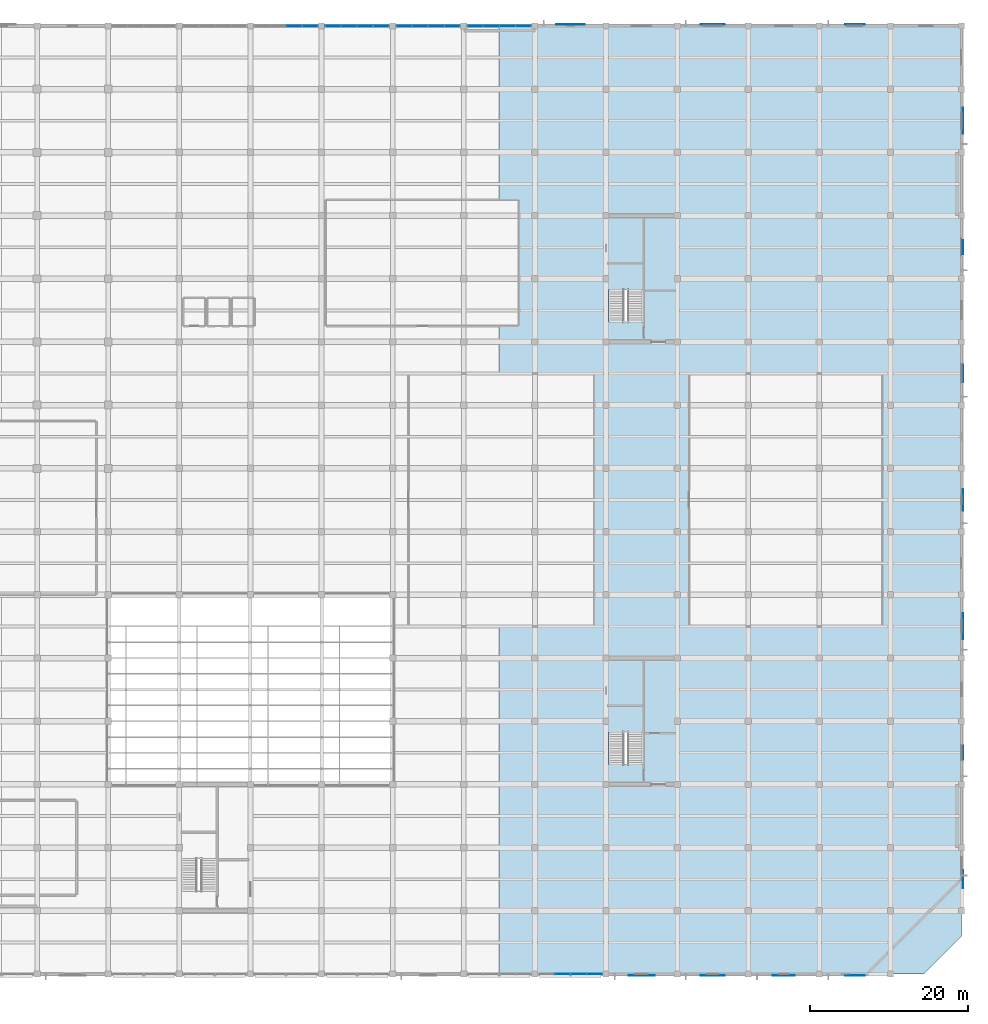
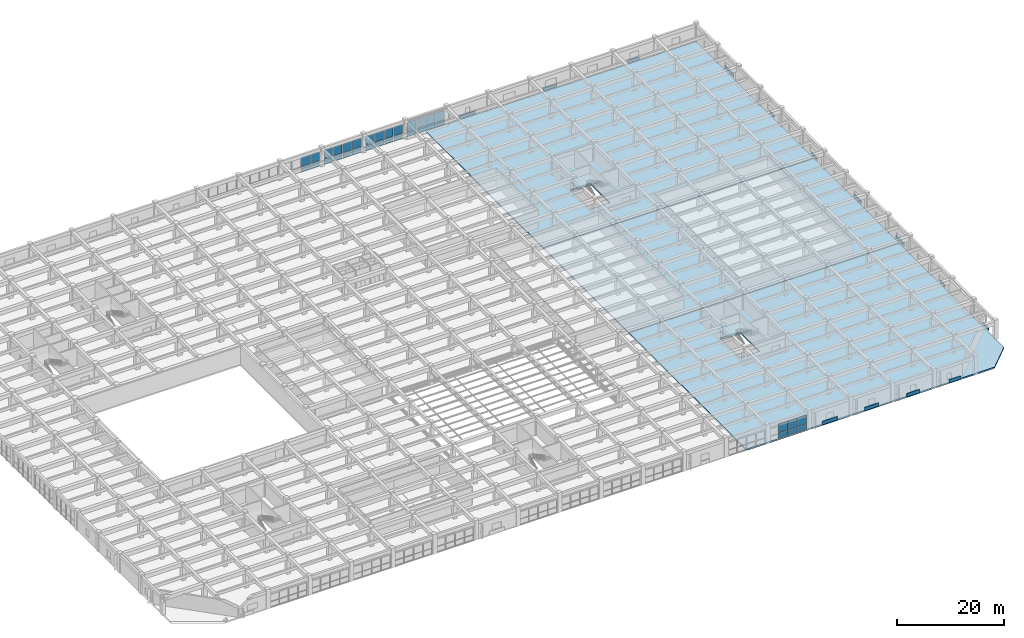
# One storey, part 24 of 50: 48 plates, 5 slabs, 7 elements without a shape of their own.
"""IFC4 building model written with IfcOpenShell, lengths in metres."""

from ifc_helpers import new_model, si_unit, direction, frame, frame_2d, origin, place, context, subcontext, project, spatial, polyline, rectangle, outline, extrude, material, layer, layer_set, type_object, element, aggregate, save


model = new_model("IFC4")

# Units and contexts
model_context = context("Model", 3, precision=1e-05, world=origin(), true_north=direction((0.0, 1.0)))
body_context = subcontext(model_context, "Body", "Model", "MODEL_VIEW")
ifc_project = project(units=[si_unit("LENGTHUNIT", "METRE"), si_unit("AREAUNIT", "SQUARE_METRE"), si_unit("VOLUMEUNIT", "CUBIC_METRE"), si_unit("PLANEANGLEUNIT", "RADIAN"), si_unit("MASSUNIT", "GRAM", prefix="KILO")], contexts=[model_context])

# Site, building, storey
site_placement = place(None, origin())
site = spatial("IfcSite", under=ifc_project, at=site_placement, CompositionType="ELEMENT")
building_placement = place(site_placement, origin())
building = spatial("IfcBuilding", under=site, at=building_placement, Name="Zaverband Oceanarium and Marine Research Institute", CompositionType="ELEMENT")
storey_placement = place(building_placement, frame((0.0, 0.0, 9.0)))
storey = spatial("IfcBuildingStorey", under=building, at=storey_placement, Name="L02", CompositionType="ELEMENT", Elevation=9.0)

# Curtain wall, plates
ifc_material_1 = material(Name="Thermally broken anodized aluminium and solar-control glass", Category="aluminium")
curtain_wall_type = type_object("IfcCurtainWallType", Name="CW-UNIT-1800", PredefinedType="NOTDEFINED", material=ifc_material_1)
curtain_wall_1_placement = place(storey_placement, origin())
curtain_wall_1 = element("IfcCurtainWall", 1, at=curtain_wall_1_placement, inside=storey, type_object=curtain_wall_type, Name="Unitised glazed curtain wall CW-045", PredefinedType="NOTDEFINED")
ifc_material_2 = material(Name="Low-E double-glazed solar-control glass", Category="glass")
ifc_layer_1 = layer(ifc_material_2, 0.033935546875, Name="Low-E double-glazed solar-control glass")
ifc_layer_set_1 = layer_set([ifc_layer_1], Name="Low-E double-glazed solar-control glass")
plate_type_1 = type_object("IfcPlateType", Name="CWP-1765x1197", PredefinedType="CURTAIN_PANEL", material=ifc_layer_set_1)
plate_1_placement = place(storey_placement, frame((128.532470703125, 0.0, 0.050048828125), z_axis=(0.0, 0.0, 1.0), x_axis=(1.0, 0.0, 0.0)))
plate_1 = element("IfcPlate", 2, at=plate_1_placement, type_object=plate_type_1, Name="Glazed curtain wall panel CWP-1765x1197", PredefinedType="CURTAIN_PANEL", context=body_context, shape_type="SweptSolid", body=[
    extrude(rectangle(XDim=1.887451171875, YDim=0.033935546875, at=frame_2d((0.94384765625, 0.0))), origin(), (0.0, 0.0, 1.0), 1.197021484375),
])
plate_2_placement = place(storey_placement, frame((130.580078125, 0.0, 0.050048828125), z_axis=(0.0, 0.0, 1.0), x_axis=(1.0, 0.0, 0.0)))
plate_2 = element("IfcPlate", 3, at=plate_2_placement, type_object=plate_type_1, Name="Glazed curtain wall panel CWP-1765x1197", PredefinedType="CURTAIN_PANEL", context=body_context, shape_type="SweptSolid", body=[
    extrude(rectangle(XDim=1.887451171875, YDim=0.033935546875, at=frame_2d((0.94384765625, 0.0))), origin(), (0.0, 0.0, 1.0), 1.197021484375),
])
plate_3_placement = place(storey_placement, frame((132.62744140625, 0.0, 0.050048828125), z_axis=(0.0, 0.0, 1.0), x_axis=(1.0, 0.0, 0.0)))
plate_3 = element("IfcPlate", 4, at=plate_3_placement, type_object=plate_type_1, Name="Glazed curtain wall panel CWP-1765x1197", PredefinedType="CURTAIN_PANEL", context=body_context, shape_type="SweptSolid", body=[
    extrude(rectangle(XDim=1.887451171875, YDim=0.033935546875, at=frame_2d((0.94384765625, 0.0))), origin(), (0.0, 0.0, 1.0), 1.197021484375),
])

curtain_wall_2_placement = place(storey_placement, origin())
curtain_wall_2 = element("IfcCurtainWall", 5, at=curtain_wall_2_placement, inside=storey, type_object=curtain_wall_type, Name="Unitised glazed curtain wall CW-048", PredefinedType="NOTDEFINED")
plate_4_placement = place(storey_placement, frame((94.580078125, 120.0, 0.050048828125), z_axis=(0.0, 0.0, 1.0), x_axis=(1.0, 0.0, 0.0)))
plate_4 = element("IfcPlate", 6, at=plate_4_placement, type_object=plate_type_1, Name="Glazed curtain wall panel CWP-1765x1197", PredefinedType="CURTAIN_PANEL", context=body_context, shape_type="SweptSolid", body=[
    extrude(rectangle(XDim=1.887451171875, YDim=0.033935546875, at=frame_2d((0.94384765625, 0.0))), origin(), (0.0, 0.0, 1.0), 1.197021484375),
])
plate_5_placement = place(storey_placement, frame((96.62744140625, 120.0, 0.050048828125), z_axis=(0.0, 0.0, 1.0), x_axis=(1.0, 0.0, 0.0)))
plate_5 = element("IfcPlate", 7, at=plate_5_placement, type_object=plate_type_1, Name="Glazed curtain wall panel CWP-1765x1197", PredefinedType="CURTAIN_PANEL", context=body_context, shape_type="SweptSolid", body=[
    extrude(rectangle(XDim=1.887451171875, YDim=0.033935546875, at=frame_2d((0.94384765625, 0.0))), origin(), (0.0, 0.0, 1.0), 1.197021484375),
])

curtain_wall_3_placement = place(storey_placement, origin())
curtain_wall_3 = element("IfcCurtainWall", 8, at=curtain_wall_3_placement, inside=storey, type_object=curtain_wall_type, Name="Unitised glazed curtain wall CW-049", PredefinedType="NOTDEFINED")
plate_6_placement = place(storey_placement, frame((99.485107421875, 120.0, 0.050048828125), z_axis=(0.0, 0.0, 1.0), x_axis=(1.0, 0.0, 0.0)))
plate_6 = element("IfcPlate", 9, at=plate_6_placement, type_object=plate_type_1, Name="Glazed curtain wall panel CWP-1765x1197", PredefinedType="CURTAIN_PANEL", context=body_context, shape_type="SweptSolid", body=[
    extrude(rectangle(XDim=1.887451171875, YDim=0.033935546875, at=frame_2d((0.94384765625, 0.0))), origin(), (0.0, 0.0, 1.0), 1.197021484375),
])
plate_7_placement = place(storey_placement, frame((101.532470703125, 120.0, 0.050048828125), z_axis=(0.0, 0.0, 1.0), x_axis=(1.0, 0.0, 0.0)))
plate_7 = element("IfcPlate", 10, at=plate_7_placement, type_object=plate_type_1, Name="Glazed curtain wall panel CWP-1765x1197", PredefinedType="CURTAIN_PANEL", context=body_context, shape_type="SweptSolid", body=[
    extrude(rectangle(XDim=1.887451171875, YDim=0.033935546875, at=frame_2d((0.94384765625, 0.0))), origin(), (0.0, 0.0, 1.0), 1.197021484375),
])
plate_8_placement = place(storey_placement, frame((103.580078125, 120.0, 0.050048828125), z_axis=(0.0, 0.0, 1.0), x_axis=(1.0, 0.0, 0.0)))
plate_8 = element("IfcPlate", 11, at=plate_8_placement, type_object=plate_type_1, Name="Glazed curtain wall panel CWP-1765x1197", PredefinedType="CURTAIN_PANEL", context=body_context, shape_type="SweptSolid", body=[
    extrude(rectangle(XDim=1.887451171875, YDim=0.033935546875, at=frame_2d((0.94384765625, 0.0))), origin(), (0.0, 0.0, 1.0), 1.197021484375),
])
plate_9_placement = place(storey_placement, frame((105.62744140625, 120.0, 0.050048828125), z_axis=(0.0, 0.0, 1.0), x_axis=(1.0, 0.0, 0.0)))
plate_9 = element("IfcPlate", 12, at=plate_9_placement, type_object=plate_type_1, Name="Glazed curtain wall panel CWP-1765x1197", PredefinedType="CURTAIN_PANEL", context=body_context, shape_type="SweptSolid", body=[
    extrude(rectangle(XDim=1.887451171875, YDim=0.033935546875, at=frame_2d((0.94384765625, 0.0))), origin(), (0.0, 0.0, 1.0), 1.197021484375),
])

curtain_wall_4_placement = place(storey_placement, origin())
curtain_wall_4 = element("IfcCurtainWall", 13, at=curtain_wall_4_placement, inside=storey, type_object=curtain_wall_type, Name="Unitised glazed curtain wall CW-050", PredefinedType="NOTDEFINED")
plate_10_placement = place(storey_placement, frame((108.485107421875, 120.0, 0.050048828125), z_axis=(0.0, 0.0, 1.0), x_axis=(1.0, 0.0, 0.0)))
plate_10 = element("IfcPlate", 14, at=plate_10_placement, type_object=plate_type_1, Name="Glazed curtain wall panel CWP-1765x1197", PredefinedType="CURTAIN_PANEL", context=body_context, shape_type="SweptSolid", body=[
    extrude(rectangle(XDim=1.887451171875, YDim=0.033935546875, at=frame_2d((0.94384765625, 0.0))), origin(), (0.0, 0.0, 1.0), 1.197021484375),
])
plate_11_placement = place(storey_placement, frame((110.532470703125, 120.0, 0.050048828125), z_axis=(0.0, 0.0, 1.0), x_axis=(1.0, 0.0, 0.0)))
plate_11 = element("IfcPlate", 15, at=plate_11_placement, type_object=plate_type_1, Name="Glazed curtain wall panel CWP-1765x1197", PredefinedType="CURTAIN_PANEL", context=body_context, shape_type="SweptSolid", body=[
    extrude(rectangle(XDim=1.887451171875, YDim=0.033935546875, at=frame_2d((0.94384765625, 0.0))), origin(), (0.0, 0.0, 1.0), 1.197021484375),
])
plate_12_placement = place(storey_placement, frame((112.580078125, 120.0, 0.050048828125), z_axis=(0.0, 0.0, 1.0), x_axis=(1.0, 0.0, 0.0)))
plate_12 = element("IfcPlate", 16, at=plate_12_placement, type_object=plate_type_1, Name="Glazed curtain wall panel CWP-1765x1197", PredefinedType="CURTAIN_PANEL", context=body_context, shape_type="SweptSolid", body=[
    extrude(rectangle(XDim=1.887451171875, YDim=0.033935546875, at=frame_2d((0.94384765625, 0.0))), origin(), (0.0, 0.0, 1.0), 1.197021484375),
])
plate_13_placement = place(storey_placement, frame((114.62744140625, 120.0, 0.050048828125), z_axis=(0.0, 0.0, 1.0), x_axis=(1.0, 0.0, 0.0)))
plate_13 = element("IfcPlate", 17, at=plate_13_placement, type_object=plate_type_1, Name="Glazed curtain wall panel CWP-1765x1197", PredefinedType="CURTAIN_PANEL", context=body_context, shape_type="SweptSolid", body=[
    extrude(rectangle(XDim=1.887451171875, YDim=0.033935546875, at=frame_2d((0.94384765625, 0.0))), origin(), (0.0, 0.0, 1.0), 1.197021484375),
])

curtain_wall_5_placement = place(storey_placement, origin())
curtain_wall_5 = element("IfcCurtainWall", 18, at=curtain_wall_5_placement, inside=storey, type_object=curtain_wall_type, Name="Unitised glazed curtain wall CW-051", PredefinedType="NOTDEFINED")
plate_14_placement = place(storey_placement, frame((117.485107421875, 120.0, 0.050048828125), z_axis=(0.0, 0.0, 1.0), x_axis=(1.0, 0.0, 0.0)))
plate_14 = element("IfcPlate", 19, at=plate_14_placement, type_object=plate_type_1, Name="Glazed curtain wall panel CWP-1765x1197", PredefinedType="CURTAIN_PANEL", context=body_context, shape_type="SweptSolid", body=[
    extrude(rectangle(XDim=1.887451171875, YDim=0.033935546875, at=frame_2d((0.94384765625, 0.0))), origin(), (0.0, 0.0, 1.0), 1.197021484375),
])
plate_15_placement = place(storey_placement, frame((119.532470703125, 120.0, 0.050048828125), z_axis=(0.0, 0.0, 1.0), x_axis=(1.0, 0.0, 0.0)))
plate_15 = element("IfcPlate", 20, at=plate_15_placement, type_object=plate_type_1, Name="Glazed curtain wall panel CWP-1765x1197", PredefinedType="CURTAIN_PANEL", context=body_context, shape_type="SweptSolid", body=[
    extrude(rectangle(XDim=1.887451171875, YDim=0.033935546875, at=frame_2d((0.94384765625, 0.0))), origin(), (0.0, 0.0, 1.0), 1.197021484375),
])
plate_16_placement = place(storey_placement, frame((121.580078125, 120.0, 0.050048828125), z_axis=(0.0, 0.0, 1.0), x_axis=(1.0, 0.0, 0.0)))
plate_16 = element("IfcPlate", 21, at=plate_16_placement, type_object=plate_type_1, Name="Glazed curtain wall panel CWP-1765x1197", PredefinedType="CURTAIN_PANEL", context=body_context, shape_type="SweptSolid", body=[
    extrude(rectangle(XDim=1.887451171875, YDim=0.033935546875, at=frame_2d((0.94384765625, 0.0))), origin(), (0.0, 0.0, 1.0), 1.197021484375),
])
plate_17_placement = place(storey_placement, frame((123.62744140625, 120.0, 0.050048828125), z_axis=(0.0, 0.0, 1.0), x_axis=(1.0, 0.0, 0.0)))
plate_17 = element("IfcPlate", 22, at=plate_17_placement, type_object=plate_type_1, Name="Glazed curtain wall panel CWP-1765x1197", PredefinedType="CURTAIN_PANEL", context=body_context, shape_type="SweptSolid", body=[
    extrude(rectangle(XDim=1.887451171875, YDim=0.033935546875, at=frame_2d((0.94384765625, 0.0))), origin(), (0.0, 0.0, 1.0), 1.197021484375),
])

# Plate
ifc_layer_2 = layer(ifc_material_2, 0.035888671875, Name="Low-E double-glazed solar-control glass")
ifc_layer_set_2 = layer_set([ifc_layer_2], Name="Low-E double-glazed solar-control glass")
plate_type_2 = type_object("IfcPlateType", Name="CWP-1765x2063", PredefinedType="CURTAIN_PANEL", material=ifc_layer_set_2)
plate_18_placement = place(storey_placement, frame((128.532470703125, 0.0, 1.31689453125), z_axis=(0.0, 0.0, 1.0), x_axis=(1.0, 0.0, 0.0)))
plate_18 = element("IfcPlate", 23, at=plate_18_placement, type_object=plate_type_2, Name="Glazed curtain wall panel CWP-1765x2063", PredefinedType="CURTAIN_PANEL", context=body_context, shape_type="SweptSolid", body=[
    extrude(rectangle(XDim=1.887451171875, YDim=0.035888671875, at=frame_2d((0.94384765625, 0.0))), origin(), (0.0, 0.0, 1.0), 2.06298828125),
])

plate_19_placement = place(storey_placement, frame((130.580078125, 0.0, 1.31689453125), z_axis=(0.0, 0.0, 1.0), x_axis=(1.0, 0.0, 0.0)))
plate_19 = element("IfcPlate", 24, at=plate_19_placement, type_object=plate_type_2, Name="Glazed curtain wall panel CWP-1765x2063", PredefinedType="CURTAIN_PANEL", context=body_context, shape_type="SweptSolid", body=[
    extrude(rectangle(XDim=1.887451171875, YDim=0.035888671875, at=frame_2d((0.94384765625, 0.0))), origin(), (0.0, 0.0, 1.0), 2.06298828125),
])

plate_20_placement = place(storey_placement, frame((132.62744140625, 0.0, 1.31689453125), z_axis=(0.0, 0.0, 1.0), x_axis=(1.0, 0.0, 0.0)))
plate_20 = element("IfcPlate", 25, at=plate_20_placement, type_object=plate_type_2, Name="Glazed curtain wall panel CWP-1765x2063", PredefinedType="CURTAIN_PANEL", context=body_context, shape_type="SweptSolid", body=[
    extrude(rectangle(XDim=1.887451171875, YDim=0.035888671875, at=frame_2d((0.94384765625, 0.0))), origin(), (0.0, 0.0, 1.0), 2.06298828125),
])

aggregate(curtain_wall_1, [plate_1, plate_18, plate_2, plate_19, plate_3, plate_20])

plate_21_placement = place(storey_placement, frame((94.580078125, 120.0, 1.31689453125), z_axis=(0.0, 0.0, 1.0), x_axis=(1.0, 0.0, 0.0)))
plate_21 = element("IfcPlate", 26, at=plate_21_placement, type_object=plate_type_2, Name="Glazed curtain wall panel CWP-1765x2063", PredefinedType="CURTAIN_PANEL", context=body_context, shape_type="SweptSolid", body=[
    extrude(rectangle(XDim=1.887451171875, YDim=0.035888671875, at=frame_2d((0.94384765625, 0.0))), origin(), (0.0, 0.0, 1.0), 2.06298828125),
])

plate_22_placement = place(storey_placement, frame((96.62744140625, 120.0, 1.31689453125), z_axis=(0.0, 0.0, 1.0), x_axis=(1.0, 0.0, 0.0)))
plate_22 = element("IfcPlate", 27, at=plate_22_placement, type_object=plate_type_2, Name="Glazed curtain wall panel CWP-1765x2063", PredefinedType="CURTAIN_PANEL", context=body_context, shape_type="SweptSolid", body=[
    extrude(rectangle(XDim=1.887451171875, YDim=0.035888671875, at=frame_2d((0.94384765625, 0.0))), origin(), (0.0, 0.0, 1.0), 2.06298828125),
])

aggregate(curtain_wall_2, [plate_4, plate_21, plate_5, plate_22])

plate_23_placement = place(storey_placement, frame((99.485107421875, 120.0, 1.31689453125), z_axis=(0.0, 0.0, 1.0), x_axis=(1.0, 0.0, 0.0)))
plate_23 = element("IfcPlate", 28, at=plate_23_placement, type_object=plate_type_2, Name="Glazed curtain wall panel CWP-1765x2063", PredefinedType="CURTAIN_PANEL", context=body_context, shape_type="SweptSolid", body=[
    extrude(rectangle(XDim=1.887451171875, YDim=0.035888671875, at=frame_2d((0.94384765625, 0.0))), origin(), (0.0, 0.0, 1.0), 2.06298828125),
])

plate_24_placement = place(storey_placement, frame((101.532470703125, 120.0, 1.31689453125), z_axis=(0.0, 0.0, 1.0), x_axis=(1.0, 0.0, 0.0)))
plate_24 = element("IfcPlate", 29, at=plate_24_placement, type_object=plate_type_2, Name="Glazed curtain wall panel CWP-1765x2063", PredefinedType="CURTAIN_PANEL", context=body_context, shape_type="SweptSolid", body=[
    extrude(rectangle(XDim=1.887451171875, YDim=0.035888671875, at=frame_2d((0.94384765625, 0.0))), origin(), (0.0, 0.0, 1.0), 2.06298828125),
])

plate_25_placement = place(storey_placement, frame((103.580078125, 120.0, 1.31689453125), z_axis=(0.0, 0.0, 1.0), x_axis=(1.0, 0.0, 0.0)))
plate_25 = element("IfcPlate", 30, at=plate_25_placement, type_object=plate_type_2, Name="Glazed curtain wall panel CWP-1765x2063", PredefinedType="CURTAIN_PANEL", context=body_context, shape_type="SweptSolid", body=[
    extrude(rectangle(XDim=1.887451171875, YDim=0.035888671875, at=frame_2d((0.94384765625, 0.0))), origin(), (0.0, 0.0, 1.0), 2.06298828125),
])

plate_26_placement = place(storey_placement, frame((105.62744140625, 120.0, 1.31689453125), z_axis=(0.0, 0.0, 1.0), x_axis=(1.0, 0.0, 0.0)))
plate_26 = element("IfcPlate", 31, at=plate_26_placement, type_object=plate_type_2, Name="Glazed curtain wall panel CWP-1765x2063", PredefinedType="CURTAIN_PANEL", context=body_context, shape_type="SweptSolid", body=[
    extrude(rectangle(XDim=1.887451171875, YDim=0.035888671875, at=frame_2d((0.94384765625, 0.0))), origin(), (0.0, 0.0, 1.0), 2.06298828125),
])

aggregate(curtain_wall_3, [plate_6, plate_23, plate_7, plate_24, plate_8, plate_25, plate_9, plate_26])

plate_27_placement = place(storey_placement, frame((108.485107421875, 120.0, 1.31689453125), z_axis=(0.0, 0.0, 1.0), x_axis=(1.0, 0.0, 0.0)))
plate_27 = element("IfcPlate", 32, at=plate_27_placement, type_object=plate_type_2, Name="Glazed curtain wall panel CWP-1765x2063", PredefinedType="CURTAIN_PANEL", context=body_context, shape_type="SweptSolid", body=[
    extrude(rectangle(XDim=1.887451171875, YDim=0.035888671875, at=frame_2d((0.94384765625, 0.0))), origin(), (0.0, 0.0, 1.0), 2.06298828125),
])

plate_28_placement = place(storey_placement, frame((110.532470703125, 120.0, 1.31689453125), z_axis=(0.0, 0.0, 1.0), x_axis=(1.0, 0.0, 0.0)))
plate_28 = element("IfcPlate", 33, at=plate_28_placement, type_object=plate_type_2, Name="Glazed curtain wall panel CWP-1765x2063", PredefinedType="CURTAIN_PANEL", context=body_context, shape_type="SweptSolid", body=[
    extrude(rectangle(XDim=1.887451171875, YDim=0.035888671875, at=frame_2d((0.94384765625, 0.0))), origin(), (0.0, 0.0, 1.0), 2.06298828125),
])

plate_29_placement = place(storey_placement, frame((112.580078125, 120.0, 1.31689453125), z_axis=(0.0, 0.0, 1.0), x_axis=(1.0, 0.0, 0.0)))
plate_29 = element("IfcPlate", 34, at=plate_29_placement, type_object=plate_type_2, Name="Glazed curtain wall panel CWP-1765x2063", PredefinedType="CURTAIN_PANEL", context=body_context, shape_type="SweptSolid", body=[
    extrude(rectangle(XDim=1.887451171875, YDim=0.035888671875, at=frame_2d((0.94384765625, 0.0))), origin(), (0.0, 0.0, 1.0), 2.06298828125),
])

plate_30_placement = place(storey_placement, frame((114.62744140625, 120.0, 1.31689453125), z_axis=(0.0, 0.0, 1.0), x_axis=(1.0, 0.0, 0.0)))
plate_30 = element("IfcPlate", 35, at=plate_30_placement, type_object=plate_type_2, Name="Glazed curtain wall panel CWP-1765x2063", PredefinedType="CURTAIN_PANEL", context=body_context, shape_type="SweptSolid", body=[
    extrude(rectangle(XDim=1.887451171875, YDim=0.035888671875, at=frame_2d((0.94384765625, 0.0))), origin(), (0.0, 0.0, 1.0), 2.06298828125),
])

aggregate(curtain_wall_4, [plate_10, plate_27, plate_11, plate_28, plate_12, plate_29, plate_13, plate_30])

plate_31_placement = place(storey_placement, frame((117.485107421875, 120.0, 1.31689453125), z_axis=(0.0, 0.0, 1.0), x_axis=(1.0, 0.0, 0.0)))
plate_31 = element("IfcPlate", 36, at=plate_31_placement, type_object=plate_type_2, Name="Glazed curtain wall panel CWP-1765x2063", PredefinedType="CURTAIN_PANEL", context=body_context, shape_type="SweptSolid", body=[
    extrude(rectangle(XDim=1.887451171875, YDim=0.035888671875, at=frame_2d((0.94384765625, 0.0))), origin(), (0.0, 0.0, 1.0), 2.06298828125),
])

plate_32_placement = place(storey_placement, frame((119.532470703125, 120.0, 1.31689453125), z_axis=(0.0, 0.0, 1.0), x_axis=(1.0, 0.0, 0.0)))
plate_32 = element("IfcPlate", 37, at=plate_32_placement, type_object=plate_type_2, Name="Glazed curtain wall panel CWP-1765x2063", PredefinedType="CURTAIN_PANEL", context=body_context, shape_type="SweptSolid", body=[
    extrude(rectangle(XDim=1.887451171875, YDim=0.035888671875, at=frame_2d((0.94384765625, 0.0))), origin(), (0.0, 0.0, 1.0), 2.06298828125),
])

plate_33_placement = place(storey_placement, frame((121.580078125, 120.0, 1.31689453125), z_axis=(0.0, 0.0, 1.0), x_axis=(1.0, 0.0, 0.0)))
plate_33 = element("IfcPlate", 38, at=plate_33_placement, type_object=plate_type_2, Name="Glazed curtain wall panel CWP-1765x2063", PredefinedType="CURTAIN_PANEL", context=body_context, shape_type="SweptSolid", body=[
    extrude(rectangle(XDim=1.887451171875, YDim=0.035888671875, at=frame_2d((0.94384765625, 0.0))), origin(), (0.0, 0.0, 1.0), 2.06298828125),
])

plate_34_placement = place(storey_placement, frame((123.62744140625, 120.0, 1.31689453125), z_axis=(0.0, 0.0, 1.0), x_axis=(1.0, 0.0, 0.0)))
plate_34 = element("IfcPlate", 39, at=plate_34_placement, type_object=plate_type_2, Name="Glazed curtain wall panel CWP-1765x2063", PredefinedType="CURTAIN_PANEL", context=body_context, shape_type="SweptSolid", body=[
    extrude(rectangle(XDim=1.887451171875, YDim=0.035888671875, at=frame_2d((0.94384765625, 0.0))), origin(), (0.0, 0.0, 1.0), 2.06298828125),
])

aggregate(curtain_wall_5, [plate_14, plate_31, plate_15, plate_32, plate_16, plate_33, plate_17, plate_34])

# Plates
ifc_material_3 = material(Name="Concrete C40/50 precast ochre", Category="concrete")
ifc_layer_3 = layer(ifc_material_3, 0.070068359375, Name="Concrete C40/50 precast ochre")
ifc_layer_set_3 = layer_set([ifc_layer_3], Name="Concrete C40/50 precast ochre")
plate_type_3 = type_object("IfcPlateType", Name="FRP-1750x700", PredefinedType="USERDEFINED", material=ifc_layer_set_3)
for number, where, z_axis, x_axis, name in (
    (40, (180.152587890625, 27.125, 0.0), (0.0, 0.0, 1.0), (0.0, 1.0, 0.0), "Geometric precast facade cladding panel FRP-1750x700"),
    (41, (180.1650390625, 91.125, 0.0), (0.0, 0.0, 1.0), (0.0, 1.0, 0.0), "Geometric precast facade cladding panel FRP-1750x700"),
):
    element("IfcPlate", number, at=place(storey_placement, frame(where, z_axis=z_axis, x_axis=x_axis)), inside=storey, type_object=plate_type_3, Name=name, ObjectType="FLANGE_PLATE", PredefinedType="USERDEFINED", context=body_context, shape_type="SweptSolid", body=[
        extrude(rectangle(XDim=1.75, YDim=0.070068359375, at=frame_2d((0.875, 0.0))), origin(), (0.0, 0.0, 1.0), 0.699951171875),
    ])
ifc_layer_4 = layer(ifc_material_3, 0.074951171875, Name="Concrete C40/50 precast ochre")
ifc_layer_set_4 = layer_set([ifc_layer_4], Name="Concrete C40/50 precast ochre")
plate_type_4 = type_object("IfcPlateType", Name="FRP-2250x740", PredefinedType="USERDEFINED", material=ifc_layer_set_4)
for number, where, z_axis, x_axis, name in (
    (42, (180.177490234375, 10.875, 0.0), (0.0, 0.0, 1.0), (0.0, 1.0, 0.0), "Geometric precast facade cladding panel FRP-2250x740"),
    (43, (180.155029296875, 74.875, 0.0), (0.0, 0.0, 1.0), (0.0, 1.0, 0.0), "Geometric precast facade cladding panel FRP-2250x740"),
):
    element("IfcPlate", number, at=place(storey_placement, frame(where, z_axis=z_axis, x_axis=x_axis)), inside=storey, type_object=plate_type_4, Name=name, ObjectType="FLANGE_PLATE", PredefinedType="USERDEFINED", context=body_context, shape_type="SweptSolid", body=[
        extrude(rectangle(XDim=2.25, YDim=0.074951171875, at=frame_2d((1.125, 0.0))), origin(), (0.0, 0.0, 1.0), 0.739990234375),
    ])
ifc_layer_5 = layer(ifc_material_3, 0.074951171875, Name="Concrete C40/50 precast ochre")
ifc_layer_set_5 = layer_set([ifc_layer_5], Name="Concrete C40/50 precast ochre")
plate_type_5 = type_object("IfcPlateType", Name="FRP-2500x750", PredefinedType="USERDEFINED", material=ifc_layer_set_5)
for number, where, z_axis, x_axis, name in (
    (44, (165.25, -0.1923828125, 0.0), (0.0, 0.0, 1.0), (1.0, 0.0, 0.0), "Geometric precast facade cladding panel FRP-2500x750"),
    (45, (165.25, 120.1923828125, 0.0), (0.0, 0.0, 1.0), (1.0, 0.0, 0.0), "Geometric precast facade cladding panel FRP-2500x750"),
):
    element("IfcPlate", number, at=place(storey_placement, frame(where, z_axis=z_axis, x_axis=x_axis)), inside=storey, type_object=plate_type_5, Name=name, ObjectType="FLANGE_PLATE", PredefinedType="USERDEFINED", context=body_context, shape_type="SweptSolid", body=[
        extrude(rectangle(XDim=2.5, YDim=0.074951171875, at=frame_2d((1.25, 0.0))), origin(), (0.0, 0.0, 1.0), 0.75),
    ])
ifc_layer_6 = layer(ifc_material_3, 0.080078125, Name="Concrete C40/50 precast ochre")
ifc_layer_set_6 = layer_set([ifc_layer_6], Name="Concrete C40/50 precast ochre")
plate_type_6 = type_object("IfcPlateType", Name="FRP-2750x760", PredefinedType="USERDEFINED", material=ifc_layer_set_6)
for number, where, z_axis, x_axis, name in (
    (46, (156.125, -0.157470703125, 0.0), (0.0, 0.0, 1.0), (1.0, 0.0, 0.0), "Geometric precast facade cladding panel FRP-2750x760"),
    (47, (180.179931640625, 58.625, 0.0), (0.0, 0.0, 1.0), (0.0, 1.0, 0.0), "Geometric precast facade cladding panel FRP-2750x760"),
):
    element("IfcPlate", number, at=place(storey_placement, frame(where, z_axis=z_axis, x_axis=x_axis)), inside=storey, type_object=plate_type_6, Name=name, ObjectType="FLANGE_PLATE", PredefinedType="USERDEFINED", context=body_context, shape_type="SweptSolid", body=[
        extrude(rectangle(XDim=2.75, YDim=0.080078125, at=frame_2d((1.375, 0.0))), origin(), (0.0, 0.0, 1.0), 0.760009765625),
    ])
ifc_layer_7 = layer(ifc_material_3, 0.080078125, Name="Concrete C40/50 precast ochre")
ifc_layer_set_7 = layer_set([ifc_layer_7], Name="Concrete C40/50 precast ochre")
plate_type_7 = type_object("IfcPlateType", Name="FRP-3000x780", PredefinedType="USERDEFINED", material=ifc_layer_set_7)
for number, where, z_axis, x_axis, name in (
    (48, (147.0, -0.169921875, 0.0), (0.0, 0.0, 1.0), (1.0, 0.0, 0.0), "Geometric precast facade cladding panel FRP-3000x780"),
    (49, (147.0, 120.169921875, 0.0), (0.0, 0.0, 1.0), (1.0, 0.0, 0.0), "Geometric precast facade cladding panel FRP-3000x780"),
):
    element("IfcPlate", number, at=place(storey_placement, frame(where, z_axis=z_axis, x_axis=x_axis)), inside=storey, type_object=plate_type_7, Name=name, ObjectType="FLANGE_PLATE", PredefinedType="USERDEFINED", context=body_context, shape_type="SweptSolid", body=[
        extrude(rectangle(XDim=3.0, YDim=0.080078125, at=frame_2d((1.5, 0.0))), origin(), (0.0, 0.0, 1.0), 0.780029296875),
    ])
ifc_layer_8 = layer(ifc_material_3, 0.0849609375, Name="Concrete C40/50 precast ochre")
ifc_layer_set_8 = layer_set([ifc_layer_8], Name="Concrete C40/50 precast ochre")
plate_type_8 = type_object("IfcPlateType", Name="FRP-3300x800", PredefinedType="USERDEFINED", material=ifc_layer_set_8)
for number, where, z_axis, x_axis, name in (
    (50, (137.85009765625, -0.1826171875, 0.0), (0.0, 0.0, 1.0), (1.0, 0.0, 0.0), "Geometric precast facade cladding panel FRP-3300x800"),
    (51, (180.172607421875, 42.35009765625, 0.0), (0.0, 0.0, 1.0), (0.0, 1.0, 0.0), "Geometric precast facade cladding panel FRP-3300x800"),
    (52, (180.1826171875, 106.35009765625, 0.0), (0.0, 0.0, 1.0), (0.0, 1.0, 0.0), "Geometric precast facade cladding panel FRP-3300x800"),
):
    element("IfcPlate", number, at=place(storey_placement, frame(where, z_axis=z_axis, x_axis=x_axis)), inside=storey, type_object=plate_type_8, Name=name, ObjectType="FLANGE_PLATE", PredefinedType="USERDEFINED", context=body_context, shape_type="SweptSolid", body=[
        extrude(rectangle(XDim=3.2998046875, YDim=0.0849609375, at=frame_2d((1.64990234375, 0.0))), origin(), (0.0, 0.0, 1.0), 0.800048828125),
    ])
ifc_layer_9 = layer(ifc_material_3, 0.0849609375, Name="Concrete C40/50 precast ochre")
ifc_layer_set_9 = layer_set([ifc_layer_9], Name="Concrete C40/50 precast ochre")
plate_type_9 = type_object("IfcPlateType", Name="FRP-3600x800", PredefinedType="USERDEFINED", material=ifc_layer_set_9)
plate_35_placement = place(storey_placement, frame((128.699951171875, 120.197509765625, 0.0), z_axis=(0.0, 0.0, 1.0), x_axis=(1.0, 0.0, 0.0)))
element("IfcPlate", 53, at=plate_35_placement, inside=storey, type_object=plate_type_9, Name="Geometric precast facade cladding panel FRP-3600x800", ObjectType="FLANGE_PLATE", PredefinedType="USERDEFINED", context=body_context, shape_type="SweptSolid", body=[
    extrude(rectangle(XDim=3.60009765625, YDim=0.0849609375, at=frame_2d((1.800048828125, 0.0))), origin(), (0.0, 0.0, 1.0), 0.800048828125),
])

# Slabs
ifc_material_4 = material(Name="Concrete C40/50", Category="concrete")
ifc_layer_10 = layer(ifc_material_4, 0.320068359375, Name="Concrete C40/50")
ifc_layer_set_10 = layer_set([ifc_layer_10], Name="Concrete C40/50")
slab_type_1 = type_object("IfcSlabType", Name="SLB-GAL-320", PredefinedType="FLOOR", material=ifc_layer_set_10)
slab_1_placement = place(storey_placement, frame((0.0, 0.0, -0.320068359375)))
element("IfcSlab", 54, at=slab_1_placement, inside=storey, type_object=slab_type_1, Name="Suspended floor slab SLB-GAL-320", PredefinedType="FLOOR", context=body_context, shape_type="SweptSolid", body=[
    extrude(outline(polyline([(121.514892578125, 43.985107421875), (180.0, 43.985107421875), (180.0, 4.800048828125), (175.199951171875, 0.0), (121.514892578125, 0.0), (121.514892578125, 43.985107421875)]), holes=[polyline([(139.64990234375, 33.85009765625), (135.35009765625, 33.85009765625), (135.35009765625, 26.5), (139.64990234375, 26.5), (139.64990234375, 33.85009765625)])]), origin(), (0.0, 0.0, 1.0), 0.320068359375),
])
slab_2_placement = place(storey_placement, frame((0.0, 0.0, -0.320068359375)))
element("IfcSlab", 55, at=slab_2_placement, inside=storey, type_object=slab_type_1, Name="Suspended floor slab SLB-GAL-320", PredefinedType="FLOOR", context=body_context, shape_type="SweptSolid", body=[
    extrude(outline(polyline([(121.514892578125, 75.985107421875), (180.0, 75.985107421875), (180.0, 44.014892578125), (121.514892578125, 44.014892578125), (121.514892578125, 75.985107421875)])), origin(), (0.0, 0.0, 1.0), 0.320068359375),
])
slab_3_placement = place(storey_placement, frame((0.0, 0.0, -0.320068359375)))
element("IfcSlab", 56, at=slab_3_placement, inside=storey, type_object=slab_type_1, Name="Suspended floor slab SLB-GAL-320", PredefinedType="FLOOR", context=body_context, shape_type="SweptSolid", body=[
    extrude(outline(polyline([(121.514892578125, 120.0), (180.0, 120.0), (180.0, 76.014892578125), (121.514892578125, 76.014892578125), (121.514892578125, 120.0)]), holes=[polyline([(139.64990234375, 89.85009765625), (135.35009765625, 89.85009765625), (135.35009765625, 82.5), (139.64990234375, 82.5), (139.64990234375, 89.85009765625)])]), origin(), (0.0, 0.0, 1.0), 0.320068359375),
])

# Stair, slab
stair_type = type_object("IfcStairType", Name="STR-POD-1800-4500", PredefinedType="HALF_TURN_STAIR", material=ifc_material_4)
stair_1_placement = place(storey_placement, origin())
stair_1 = element("IfcStair", 57, at=stair_1_placement, inside=storey, type_object=stair_type, Name="Exit Stair ST-04 (L02)", PredefinedType="HALF_TURN_STAIR")
ifc_layer_11 = layer(ifc_material_4, 0.219970703125, Name="Concrete C40/50")
ifc_layer_set_11 = layer_set([ifc_layer_11], Name="Concrete C40/50")
slab_type_2 = type_object("IfcSlabType", Name="SLB-LND-220", PredefinedType="LANDING", material=ifc_layer_set_11)
slab_4_placement = place(storey_placement, frame((0.0, 0.0, 2.030029296875)))
slab_4 = element("IfcSlab", 58, at=slab_4_placement, type_object=slab_type_2, Name="Stair / ramp landing slab SLB-LND-220", PredefinedType="LANDING", context=body_context, shape_type="SweptSolid", body=[
    extrude(outline(polyline([(135.139892578125, 30.570068359375), (139.735107421875, 30.570068359375), (139.735107421875, 33.93505859375), (135.139892578125, 33.93505859375), (135.139892578125, 30.570068359375)])), origin(), (0.0, 0.0, 1.0), 0.219970703125),
])
aggregate(stair_1, [slab_4])

stair_2_placement = place(storey_placement, origin())
stair_2 = element("IfcStair", 59, at=stair_2_placement, inside=storey, type_object=stair_type, Name="Exit Stair ST-05 (L02)", PredefinedType="HALF_TURN_STAIR")
slab_5_placement = place(storey_placement, frame((0.0, 0.0, 2.030029296875)))
slab_5 = element("IfcSlab", 60, at=slab_5_placement, type_object=slab_type_2, Name="Stair / ramp landing slab SLB-LND-220", PredefinedType="LANDING", context=body_context, shape_type="SweptSolid", body=[
    extrude(outline(polyline([(135.139892578125, 86.570068359375), (139.735107421875, 86.570068359375), (139.735107421875, 89.93505859375), (135.139892578125, 89.93505859375), (135.139892578125, 86.570068359375)])), origin(), (0.0, 0.0, 1.0), 0.219970703125),
])
aggregate(stair_2, [slab_5])

save(model, "model.ifc")
